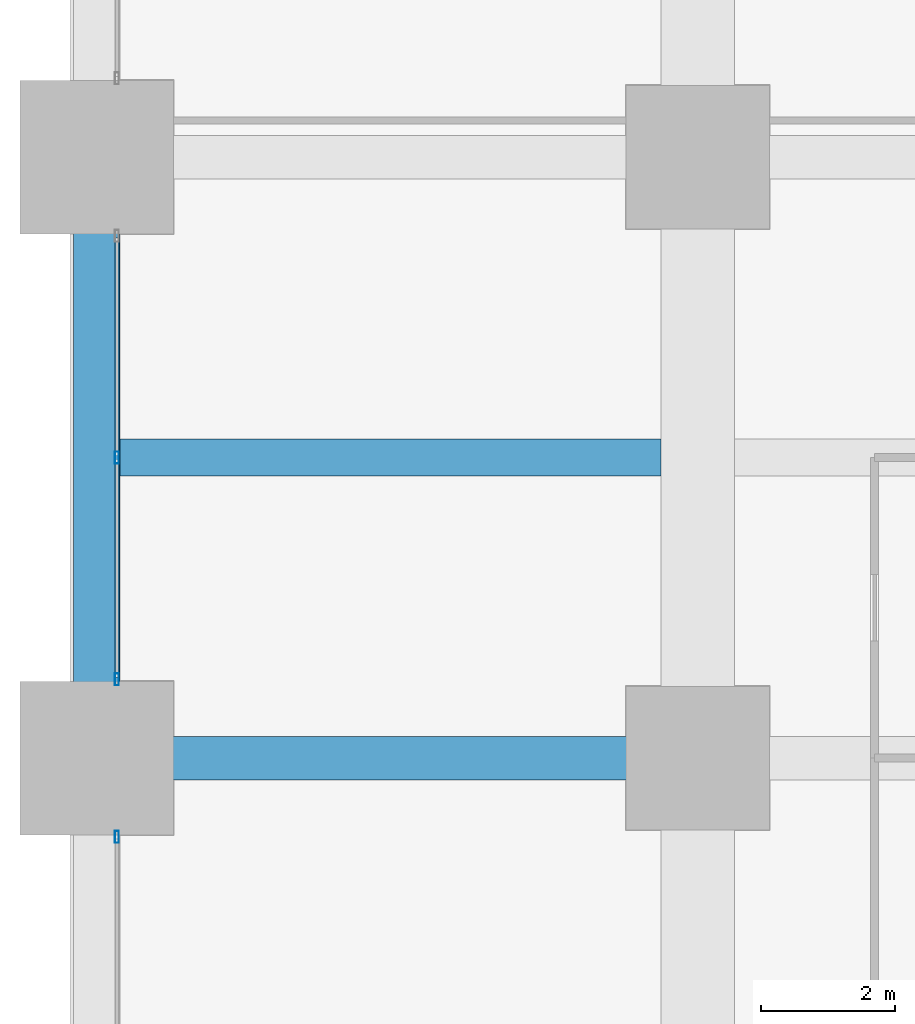
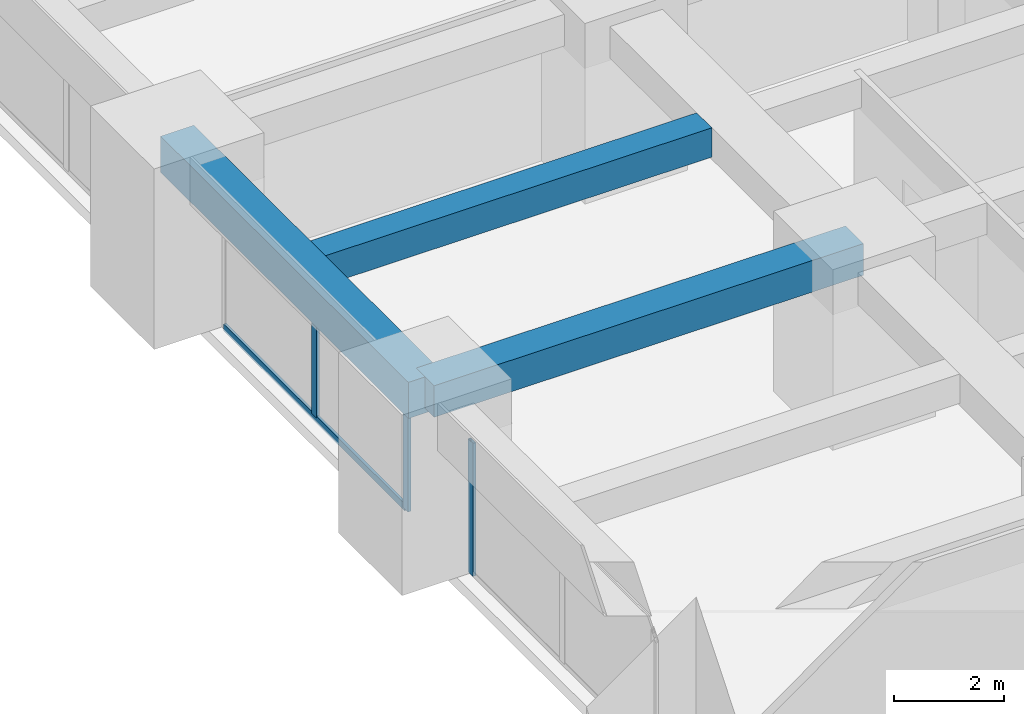
# One storey, part 11 of 44: 4 members, 3 beams, 2 elements without a shape of their own.
"""IFC4 building model written with IfcOpenShell, lengths in metres."""

from ifc_helpers import new_model, si_unit, direction, frame, origin, origin_2d, place, context, subcontext, project, spatial, rectangle, hollow_rectangle, extrude, material, material_profile, profile_set, type_object, element, aggregate, save


model = new_model("IFC4")

# Units and contexts
model_context = context("Model", 3, precision=1e-05, world=origin(), true_north=direction((0.0, 1.0)))
body_context = subcontext(model_context, "Body", "Model", "MODEL_VIEW")
ifc_project = project(units=[si_unit("LENGTHUNIT", "METRE"), si_unit("AREAUNIT", "SQUARE_METRE"), si_unit("VOLUMEUNIT", "CUBIC_METRE"), si_unit("PLANEANGLEUNIT", "RADIAN"), si_unit("MASSUNIT", "GRAM", prefix="KILO")], contexts=[model_context])

# Site, building, storey
site_placement = place(None, origin())
site = spatial("IfcSite", under=ifc_project, at=site_placement, CompositionType="ELEMENT")
building_placement = place(site_placement, origin())
building = spatial("IfcBuilding", under=site, at=building_placement, Name="Zorevar Civic Tower", CompositionType="ELEMENT")
storey_placement = place(building_placement, frame((0.0, 0.0, 51.800048828125)))
storey = spatial("IfcBuildingStorey", under=building, at=storey_placement, Name="L12", CompositionType="ELEMENT", Elevation=51.800048828125)

# Beams
ifc_material_1 = material(Name="Concrete C50/60", Category="concrete")
ifc_material_profile_1 = material_profile(ifc_material_1, rectangle(XDim=0.550048828125, YDim=0.64990234375, at=origin_2d()), Name="RC 550x650")
ifc_profile_set_1 = profile_set([ifc_material_profile_1], Name="Concrete C50/60")
beam_type_1 = type_object("IfcBeamType", Name="Beam RC 550x650", PredefinedType="BEAM", material=ifc_profile_set_1)
beam_1_placement = place(storey_placement, frame((0.35009765625, 31.5, 3.425048828125), z_axis=(1.0, 0.0, 0.0), x_axis=(0.0, 1.0, 0.0)))
element("IfcBeam", 1, at=beam_1_placement, inside=storey, type_object=beam_type_1, Name="Secondary beam L13", PredefinedType="BEAM", context=body_context, shape_type="SweptSolid", body=[
    extrude(rectangle(XDim=0.550048828125, YDim=0.64990234375, at=origin_2d()), origin(), (0.0, 0.0, 1.0), 8.099853515625),
])
ifc_material_2 = material(Name="Concrete C50/60", Category="concrete")
ifc_material_profile_2 = material_profile(ifc_material_2, rectangle(XDim=0.64990234375, YDim=0.699951171875, at=origin_2d()), Name="RC 650x700")
ifc_profile_set_2 = profile_set([ifc_material_profile_2], Name="Concrete C50/60")
beam_type_2 = type_object("IfcBeamType", Name="Beam RC 650x700", PredefinedType="BEAM", material=ifc_profile_set_2)
beam_2_placement = place(storey_placement, frame((0.0, 27.0, 3.39990234375), z_axis=(1.0, 0.0, 0.0), x_axis=(0.0, 1.0, 0.0)))
element("IfcBeam", 2, at=beam_2_placement, inside=storey, type_object=beam_type_2, Name="Girder L13", PredefinedType="BEAM", context=body_context, shape_type="SweptSolid", body=[
    extrude(rectangle(XDim=0.64990234375, YDim=0.699951171875, at=origin_2d()), origin(), (0.0, 0.0, 1.0), 9.0),
])

# Curtain wall, member
ifc_material_3 = material(Name="Dark grey solar-control glass in black aluminium frame", Category="aluminium")
curtain_wall_type = type_object("IfcCurtainWallType", Name="Curtain wall CW2 low zone", PredefinedType="NOTDEFINED", material=ifc_material_3)
curtain_wall_1_placement = place(storey_placement, origin())
curtain_wall_1 = element("IfcCurtainWall", 3, at=curtain_wall_1_placement, inside=storey, type_object=curtain_wall_type, Name="CW2 L12", PredefinedType="NOTDEFINED")
ifc_material_4 = material(Name="Aluminium, black anodised", Category="aluminium")
ifc_material_profile_3 = material_profile(ifc_material_4, hollow_rectangle(XDim=0.06005859375, YDim=0.179931640625, WallThickness=0.00390625, at=origin_2d()), Name="AL 180x60x4")
ifc_profile_set_3 = profile_set([ifc_material_profile_3], Name="Aluminium, black anodised")
member_type_1 = type_object("IfcMemberType", Name="CW2 mullion AL 180x60x4", PredefinedType="MULLION", material=ifc_profile_set_3)
member_1_placement = place(storey_placement, frame((0.300048828125, 25.820068359375, 0.0), z_axis=(0.0, 0.0, 1.0), x_axis=(-1.0, 0.0, 0.0)))
member_1 = element("IfcMember", 4, at=member_1_placement, type_object=member_type_1, Name="CW2 mullion 3", PredefinedType="MULLION", context=body_context, shape_type="SweptSolid", body=[
    extrude(hollow_rectangle(XDim=0.06005859375, YDim=0.179931640625, WallThickness=0.00390625, at=origin_2d()), origin(), (0.0, 0.0, 1.0), 2.949951171875),
])
aggregate(curtain_wall_1, [member_1])

# Curtain wall, members
curtain_wall_2_placement = place(storey_placement, origin())
curtain_wall_2 = element("IfcCurtainWall", 5, at=curtain_wall_2_placement, inside=storey, type_object=curtain_wall_type, Name="CW2 L12", PredefinedType="NOTDEFINED")
member_2_placement = place(storey_placement, frame((0.300048828125, 28.179931640625, 0.0), z_axis=(0.0, 0.0, 1.0), x_axis=(-1.0, 0.0, 0.0)))
member_2 = element("IfcMember", 6, at=member_2_placement, type_object=member_type_1, Name="CW2 mullion 1", PredefinedType="MULLION", context=body_context, shape_type="SweptSolid", body=[
    extrude(hollow_rectangle(XDim=0.06005859375, YDim=0.179931640625, WallThickness=0.00390625, at=origin_2d()), origin(), (0.0, 0.0, 1.0), 2.949951171875),
])
member_3_placement = place(storey_placement, frame((0.300048828125, 31.5, 0.06005859375), z_axis=(0.0, 0.0, 1.0), x_axis=(-1.0, 0.0, 0.0)))
member_3 = element("IfcMember", 7, at=member_3_placement, type_object=member_type_1, Name="CW2 mullion 2", PredefinedType="MULLION", context=body_context, shape_type="SweptSolid", body=[
    extrude(hollow_rectangle(XDim=0.06005859375, YDim=0.179931640625, WallThickness=0.00390625, at=origin_2d()), origin(), (0.0, 0.0, 1.0), 2.889892578125),
])
ifc_material_5 = material(Name="Aluminium, black anodised", Category="aluminium")
ifc_material_profile_4 = material_profile(ifc_material_5, hollow_rectangle(XDim=0.06005859375, YDim=0.14990234375, WallThickness=0.00390625, at=origin_2d()), Name="AL 150x60x4")
ifc_profile_set_4 = profile_set([ifc_material_profile_4], Name="Aluminium, black anodised")
member_type_2 = type_object("IfcMemberType", Name="CW2 transom AL 150x60x4", PredefinedType="USERDEFINED", material=ifc_profile_set_4)
member_4_placement = place(storey_placement, frame((0.300048828125, 28.2099609375, 0.030029296875), z_axis=(0.0, 1.0, 0.0), x_axis=(-1.0, 0.0, 0.0)))
member_4 = element("IfcMember", 8, at=member_4_placement, type_object=member_type_2, Name="CW2 sill transom", ObjectType="TRANSOM", PredefinedType="USERDEFINED", context=body_context, shape_type="SweptSolid", body=[
    extrude(hollow_rectangle(XDim=0.06005859375, YDim=0.14990234375, WallThickness=0.00390625, at=origin_2d()), origin(), (0.0, 0.0, 1.0), 6.580078125),
])
aggregate(curtain_wall_2, [member_2, member_3, member_4])

# Beam
ifc_material_6 = material(Name="Concrete C50/60", Category="concrete")
ifc_material_profile_5 = material_profile(ifc_material_6, rectangle(XDim=0.699951171875, YDim=0.800048828125, at=origin_2d()), Name="RC 700x800")
ifc_profile_set_5 = profile_set([ifc_material_profile_5], Name="Concrete C50/60")
beam_type_3 = type_object("IfcBeamType", Name="Edge beam RC 700x800", PredefinedType="SPANDREL", material=ifc_profile_set_5)
beam_3_placement = place(storey_placement, frame((0.0, 27.0, 3.349853515625), z_axis=(0.0, 1.0, 0.0), x_axis=(-1.0, 0.0, 0.0)))
element("IfcBeam", 9, at=beam_3_placement, inside=storey, type_object=beam_type_3, Name="Edge beam L13", PredefinedType="SPANDREL", context=body_context, shape_type="SweptSolid", body=[
    extrude(rectangle(XDim=0.699951171875, YDim=0.800048828125, at=origin_2d()), origin(), (0.0, 0.0, 1.0), 9.0),
])

save(model, "model.ifc")
